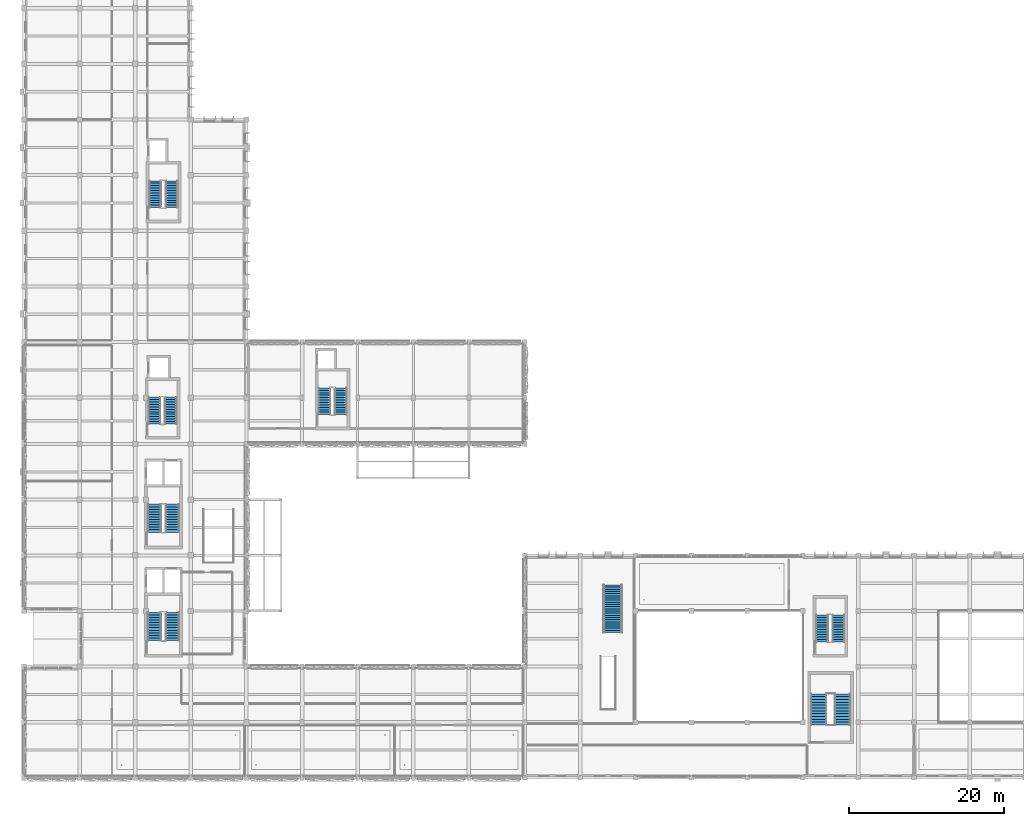
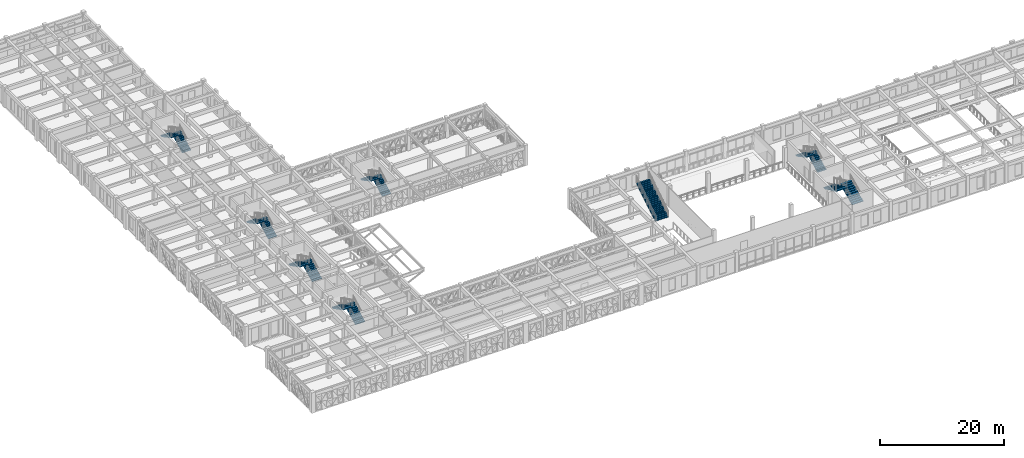
# One storey, part 50 of 88: 15 stair flights, 8 elements without a shape of their own.
"""IFC4 building model written with IfcOpenShell, lengths in metres."""

from ifc_helpers import new_model, si_unit, direction, frame, origin, place, context, subcontext, project, spatial, polyline, outline, extrude, material, type_object, element, aggregate, save


model = new_model("IFC4")

# Units and contexts
model_context = context("Model", 3, precision=1e-05, world=origin(), true_north=direction((0.0, 1.0)))
body_context = subcontext(model_context, "Body", "Model", "MODEL_VIEW")
ifc_project = project(units=[si_unit("LENGTHUNIT", "METRE"), si_unit("AREAUNIT", "SQUARE_METRE"), si_unit("VOLUMEUNIT", "CUBIC_METRE"), si_unit("PLANEANGLEUNIT", "RADIAN"), si_unit("MASSUNIT", "GRAM", prefix="KILO")], contexts=[model_context])

# Site, building, storey
site_placement = place(None, origin())
site = spatial("IfcSite", under=ifc_project, at=site_placement, CompositionType="ELEMENT")
building_placement = place(site_placement, origin())
building = spatial("IfcBuilding", under=site, at=building_placement, Name="Alvorim Cloister Faculty of Sciences", CompositionType="ELEMENT")
storey_placement = place(building_placement, frame((0.0, 0.0, 4.5)))
storey = spatial("IfcBuildingStorey", under=building, at=storey_placement, Name="L01", CompositionType="ELEMENT", Elevation=4.5)

# Stair, stair flight
ifc_material_1 = material(Name="Glulam GL32h", Category="wood")
stair_type_1 = type_object("IfcStairType", Name="STR-MON-ST-08-1700x4050", PredefinedType="STRAIGHT_RUN_STAIR", material=ifc_material_1)
stair_1_placement = place(storey_placement, origin())
stair_1 = element("IfcStair", 1, at=stair_1_placement, inside=storey, type_object=stair_type_1, Name="Atrium Monumental Stair MST-L01-ATR", PredefinedType="STRAIGHT_RUN_STAIR")
stair_flight_type_1 = type_object("IfcStairFlightType", Name="FLT-MON-ST-08-1700x4050", PredefinedType="STRAIGHT", material=ifc_material_1)
stair_flight_1_placement = place(storey_placement, frame((76.199951171875, 18.800048828125, 0.0), z_axis=(0.0, 0.0, 1.0), x_axis=(0.0, 1.0, 0.0)))
stair_flight_1 = element("IfcStairFlight", 2, at=stair_flight_1_placement, type_object=stair_flight_type_1, Name="ST-08 flight 1", NumberOfRisers=23, NumberOfTreads=22, PredefinedType="STRAIGHT", RiserHeight=0.176087, TreadLength=0.28, context=body_context, shape_type="SweptSolid", body=[
    extrude(outline(polyline([(0.337890625, 0.0), (6.159912109375, 3.661376953125), (6.159912109375, 4.050048828125), (6.159912109375, 3.8740234375), (5.8798828125, 3.8740234375), (5.8798828125, 3.69775390625), (5.60009765625, 3.69775390625), (5.60009765625, 3.521728515625), (5.320068359375, 3.521728515625), (5.320068359375, 3.345703125), (5.0400390625, 3.345703125), (5.0400390625, 3.169677734375), (4.760009765625, 3.169677734375), (4.760009765625, 2.993408203125), (4.47998046875, 2.993408203125), (4.47998046875, 2.8173828125), (4.199951171875, 2.8173828125), (4.199951171875, 2.641357421875), (3.919921875, 2.641357421875), (3.919921875, 2.46533203125), (3.639892578125, 2.46533203125), (3.639892578125, 2.2890625), (3.360107421875, 2.2890625), (3.360107421875, 2.113037109375), (3.080078125, 2.113037109375), (3.080078125, 1.93701171875), (2.800048828125, 1.93701171875), (2.800048828125, 1.760986328125), (2.52001953125, 1.760986328125), (2.52001953125, 1.584716796875), (2.239990234375, 1.584716796875), (2.239990234375, 1.40869140625), (1.9599609375, 1.40869140625), (1.9599609375, 1.232666015625), (1.679931640625, 1.232666015625), (1.679931640625, 1.056640625), (1.39990234375, 1.056640625), (1.39990234375, 0.88037109375), (1.1201171875, 0.88037109375), (1.1201171875, 0.704345703125), (0.840087890625, 0.704345703125), (0.840087890625, 0.5283203125), (0.56005859375, 0.5283203125), (0.56005859375, 0.352294921875), (0.280029296875, 0.352294921875), (0.280029296875, 0.176025390625), (0.0, 0.176025390625), (0.0, 0.0), (0.337890625, 0.0)])), frame((0.0, 1.22509765625, 0.0), z_axis=(0.0, -1.0, 0.0), x_axis=(1.0, 0.0, 0.0)), (0.0, 0.0, 1.0), 2.449951171875),
])
aggregate(stair_1, [stair_flight_1])

# Stair, stair flights
ifc_material_2 = material(Name="Concrete C40", Category="concrete")
stair_type_2 = type_object("IfcStairType", Name="STR-ST-01-1780x4050", PredefinedType="HALF_TURN_STAIR", material=ifc_material_2)
stair_2_placement = place(storey_placement, origin())
stair_2 = element("IfcStair", 3, at=stair_2_placement, inside=storey, type_object=stair_type_2, Name="L01 Enclosed Smoke-Proof Stair ST-01", PredefinedType="HALF_TURN_STAIR")
stair_flight_type_2 = type_object("IfcStairFlightType", Name="FLT-ST-01-1780x2025", PredefinedType="STRAIGHT", material=ifc_material_2)
stair_flight_2_placement = place(storey_placement, frame((19.22998046875, 17.780029296875, 0.0), z_axis=(0.0, 0.0, 1.0), x_axis=(0.0, 1.0, 0.0)))
stair_flight_2 = element("IfcStairFlight", 4, at=stair_flight_2_placement, type_object=stair_flight_type_2, Name="ST-01 flight 1", NumberOfRisers=12, NumberOfTreads=11, PredefinedType="STRAIGHT", RiserHeight=0.16875, TreadLength=0.33, context=body_context, shape_type="SweptSolid", body=[
    extrude(outline(polyline([(0.351318359375, 0.0), (3.6298828125, 1.6767578125), (3.6298828125, 2.02490234375), (3.6298828125, 1.856201171875), (3.300048828125, 1.856201171875), (3.300048828125, 1.6875), (2.969970703125, 1.6875), (2.969970703125, 1.518798828125), (2.639892578125, 1.518798828125), (2.639892578125, 1.35009765625), (2.31005859375, 1.35009765625), (2.31005859375, 1.18115234375), (1.97998046875, 1.18115234375), (1.97998046875, 1.012451171875), (1.64990234375, 1.012451171875), (1.64990234375, 0.84375), (1.320068359375, 0.84375), (1.320068359375, 0.675048828125), (0.989990234375, 0.675048828125), (0.989990234375, 0.50634765625), (0.659912109375, 0.50634765625), (0.659912109375, 0.33740234375), (0.330078125, 0.33740234375), (0.330078125, 0.168701171875), (0.0, 0.168701171875), (0.0, 0.0), (0.351318359375, 0.0)])), frame((0.0, 0.89013671875, 0.0), z_axis=(0.0, -1.0, 0.0), x_axis=(1.0, 0.0, 0.0)), (0.0, 0.0, 1.0), 1.780029296875),
])
stair_flight_3_placement = place(storey_placement, frame((16.889892578125, 21.409912109375, 2.02490234375), z_axis=(0.0, 0.0, 1.0), x_axis=(0.0, -1.0, 0.0)))
stair_flight_3 = element("IfcStairFlight", 5, at=stair_flight_3_placement, type_object=stair_flight_type_2, Name="ST-01 flight 2", NumberOfRisers=12, NumberOfTreads=11, PredefinedType="STRAIGHT", RiserHeight=0.16875, TreadLength=0.33, context=body_context, shape_type="SweptSolid", body=[
    extrude(outline(polyline([(0.351318359375, 0.0), (3.6298828125, 1.6767578125), (3.6298828125, 2.02490234375), (3.6298828125, 1.856201171875), (3.300048828125, 1.856201171875), (3.300048828125, 1.6875), (2.969970703125, 1.6875), (2.969970703125, 1.518798828125), (2.639892578125, 1.518798828125), (2.639892578125, 1.35009765625), (2.31005859375, 1.35009765625), (2.31005859375, 1.18115234375), (1.97998046875, 1.18115234375), (1.97998046875, 1.012451171875), (1.64990234375, 1.012451171875), (1.64990234375, 0.84375), (1.320068359375, 0.84375), (1.320068359375, 0.675048828125), (0.989990234375, 0.675048828125), (0.989990234375, 0.50634765625), (0.659912109375, 0.50634765625), (0.659912109375, 0.33740234375), (0.330078125, 0.33740234375), (0.330078125, 0.168701171875), (0.0, 0.168701171875), (0.0, 0.0), (0.351318359375, 0.0)])), frame((0.0, 0.89013671875, 0.0), z_axis=(0.0, -1.0, 0.0), x_axis=(1.0, 0.0, 0.0)), (0.0, 0.0, 1.0), 1.780029296875),
])
aggregate(stair_2, [stair_flight_2, stair_flight_3])

stair_type_3 = type_object("IfcStairType", Name="STR-ST-02-1780x4050", PredefinedType="HALF_TURN_STAIR", material=ifc_material_2)
stair_3_placement = place(storey_placement, origin())
stair_3 = element("IfcStair", 6, at=stair_3_placement, inside=storey, type_object=stair_type_3, Name="L01 Enclosed Smoke-Proof Stair ST-02", PredefinedType="HALF_TURN_STAIR")
stair_flight_type_3 = type_object("IfcStairFlightType", Name="FLT-ST-02-1780x2025", PredefinedType="STRAIGHT", material=ifc_material_2)
stair_flight_4_placement = place(storey_placement, frame((19.22998046875, 31.780029296875, 0.0), z_axis=(0.0, 0.0, 1.0), x_axis=(0.0, 1.0, 0.0)))
stair_flight_4 = element("IfcStairFlight", 7, at=stair_flight_4_placement, type_object=stair_flight_type_3, Name="ST-02 flight 1", NumberOfRisers=12, NumberOfTreads=11, PredefinedType="STRAIGHT", RiserHeight=0.16875, TreadLength=0.33, context=body_context, shape_type="SweptSolid", body=[
    extrude(outline(polyline([(0.351318359375, 0.0), (3.6298828125, 1.6767578125), (3.6298828125, 2.02490234375), (3.6298828125, 1.856201171875), (3.300048828125, 1.856201171875), (3.300048828125, 1.6875), (2.969970703125, 1.6875), (2.969970703125, 1.518798828125), (2.639892578125, 1.518798828125), (2.639892578125, 1.35009765625), (2.31005859375, 1.35009765625), (2.31005859375, 1.18115234375), (1.97998046875, 1.18115234375), (1.97998046875, 1.012451171875), (1.64990234375, 1.012451171875), (1.64990234375, 0.84375), (1.320068359375, 0.84375), (1.320068359375, 0.675048828125), (0.989990234375, 0.675048828125), (0.989990234375, 0.50634765625), (0.659912109375, 0.50634765625), (0.659912109375, 0.33740234375), (0.330078125, 0.33740234375), (0.330078125, 0.168701171875), (0.0, 0.168701171875), (0.0, 0.0), (0.351318359375, 0.0)])), frame((0.0, 0.89013671875, 0.0), z_axis=(0.0, -1.0, 0.0), x_axis=(1.0, 0.0, 0.0)), (0.0, 0.0, 1.0), 1.780029296875),
])
stair_flight_5_placement = place(storey_placement, frame((16.889892578125, 35.409912109375, 2.02490234375), z_axis=(0.0, 0.0, 1.0), x_axis=(0.0, -1.0, 0.0)))
stair_flight_5 = element("IfcStairFlight", 8, at=stair_flight_5_placement, type_object=stair_flight_type_3, Name="ST-02 flight 2", NumberOfRisers=12, NumberOfTreads=11, PredefinedType="STRAIGHT", RiserHeight=0.16875, TreadLength=0.33, context=body_context, shape_type="SweptSolid", body=[
    extrude(outline(polyline([(0.351318359375, 0.0), (3.6298828125, 1.6767578125), (3.6298828125, 2.02490234375), (3.6298828125, 1.856201171875), (3.300048828125, 1.856201171875), (3.300048828125, 1.6875), (2.969970703125, 1.6875), (2.969970703125, 1.518798828125), (2.639892578125, 1.518798828125), (2.639892578125, 1.35009765625), (2.31005859375, 1.35009765625), (2.31005859375, 1.18115234375), (1.97998046875, 1.18115234375), (1.97998046875, 1.012451171875), (1.64990234375, 1.012451171875), (1.64990234375, 0.84375), (1.320068359375, 0.84375), (1.320068359375, 0.675048828125), (0.989990234375, 0.675048828125), (0.989990234375, 0.50634765625), (0.659912109375, 0.50634765625), (0.659912109375, 0.33740234375), (0.330078125, 0.33740234375), (0.330078125, 0.168701171875), (0.0, 0.168701171875), (0.0, 0.0), (0.351318359375, 0.0)])), frame((0.0, 0.89013671875, 0.0), z_axis=(0.0, -1.0, 0.0), x_axis=(1.0, 0.0, 0.0)), (0.0, 0.0, 1.0), 1.780029296875),
])
aggregate(stair_3, [stair_flight_4, stair_flight_5])

stair_type_4 = type_object("IfcStairType", Name="STR-ST-03-1600x4050", PredefinedType="HALF_TURN_STAIR", material=ifc_material_2)
stair_4_placement = place(storey_placement, origin())
stair_4 = element("IfcStair", 9, at=stair_4_placement, inside=storey, type_object=stair_type_4, Name="L01 Enclosed Smoke-Proof Stair ST-03", PredefinedType="HALF_TURN_STAIR")
stair_flight_type_4 = type_object("IfcStairFlightType", Name="FLT-ST-03-1600x2025", PredefinedType="STRAIGHT", material=ifc_material_2)
stair_flight_6_placement = place(storey_placement, frame((19.02001953125, 45.800048828125, 0.0), z_axis=(0.0, 0.0, 1.0), x_axis=(0.0, 1.0, 0.0)))
stair_flight_6 = element("IfcStairFlight", 10, at=stair_flight_6_placement, type_object=stair_flight_type_4, Name="ST-03 flight 1", NumberOfRisers=12, NumberOfTreads=11, PredefinedType="STRAIGHT", RiserHeight=0.16875, TreadLength=0.315, context=body_context, shape_type="SweptSolid", body=[
    extrude(outline(polyline([(0.338623046875, 0.0), (3.465087890625, 1.6748046875), (3.465087890625, 2.02490234375), (3.465087890625, 1.856201171875), (3.14990234375, 1.856201171875), (3.14990234375, 1.6875), (2.8349609375, 1.6875), (2.8349609375, 1.518798828125), (2.52001953125, 1.518798828125), (2.52001953125, 1.35009765625), (2.205078125, 1.35009765625), (2.205078125, 1.18115234375), (1.889892578125, 1.18115234375), (1.889892578125, 1.012451171875), (1.574951171875, 1.012451171875), (1.574951171875, 0.84375), (1.260009765625, 0.84375), (1.260009765625, 0.675048828125), (0.945068359375, 0.675048828125), (0.945068359375, 0.50634765625), (0.6298828125, 0.50634765625), (0.6298828125, 0.33740234375), (0.31494140625, 0.33740234375), (0.31494140625, 0.168701171875), (0.0, 0.168701171875), (0.0, 0.0), (0.338623046875, 0.0)])), frame((0.0, 0.800048828125, 0.0), z_axis=(0.0, -1.0, 0.0), x_axis=(1.0, 0.0, 0.0)), (0.0, 0.0, 1.0), 1.60009765625),
])
stair_flight_7_placement = place(storey_placement, frame((16.89990234375, 49.264892578125, 2.02490234375), z_axis=(0.0, 0.0, 1.0), x_axis=(0.0, -1.0, 0.0)))
stair_flight_7 = element("IfcStairFlight", 11, at=stair_flight_7_placement, type_object=stair_flight_type_4, Name="ST-03 flight 2", NumberOfRisers=12, NumberOfTreads=11, PredefinedType="STRAIGHT", RiserHeight=0.16875, TreadLength=0.315, context=body_context, shape_type="SweptSolid", body=[
    extrude(outline(polyline([(0.338623046875, 0.0), (3.465087890625, 1.6748046875), (3.465087890625, 2.02490234375), (3.465087890625, 1.856201171875), (3.14990234375, 1.856201171875), (3.14990234375, 1.6875), (2.8349609375, 1.6875), (2.8349609375, 1.518798828125), (2.52001953125, 1.518798828125), (2.52001953125, 1.35009765625), (2.205078125, 1.35009765625), (2.205078125, 1.18115234375), (1.889892578125, 1.18115234375), (1.889892578125, 1.012451171875), (1.574951171875, 1.012451171875), (1.574951171875, 0.84375), (1.260009765625, 0.84375), (1.260009765625, 0.675048828125), (0.945068359375, 0.675048828125), (0.945068359375, 0.50634765625), (0.6298828125, 0.50634765625), (0.6298828125, 0.33740234375), (0.31494140625, 0.33740234375), (0.31494140625, 0.168701171875), (0.0, 0.168701171875), (0.0, 0.0), (0.338623046875, 0.0)])), frame((0.0, 0.800048828125, 0.0), z_axis=(0.0, -1.0, 0.0), x_axis=(1.0, 0.0, 0.0)), (0.0, 0.0, 1.0), 1.60009765625),
])
aggregate(stair_4, [stair_flight_6, stair_flight_7])

stair_type_5 = type_object("IfcStairType", Name="STR-ST-04-1600x4050", PredefinedType="HALF_TURN_STAIR", material=ifc_material_2)
stair_5_placement = place(storey_placement, origin())
stair_5 = element("IfcStair", 12, at=stair_5_placement, inside=storey, type_object=stair_type_5, Name="L01 Enclosed Smoke-Proof Stair ST-04", PredefinedType="HALF_TURN_STAIR")
stair_flight_type_5 = type_object("IfcStairFlightType", Name="FLT-ST-04-1600x2025", PredefinedType="STRAIGHT", material=ifc_material_2)
stair_flight_8_placement = place(storey_placement, frame((41.02001953125, 47.0, 0.0), z_axis=(0.0, 0.0, 1.0), x_axis=(0.0, 1.0, 0.0)))
stair_flight_8 = element("IfcStairFlight", 13, at=stair_flight_8_placement, type_object=stair_flight_type_5, Name="ST-04 flight 1", NumberOfRisers=12, NumberOfTreads=11, PredefinedType="STRAIGHT", RiserHeight=0.16875, TreadLength=0.315, context=body_context, shape_type="SweptSolid", body=[
    extrude(outline(polyline([(0.338623046875, 0.0), (3.465087890625, 1.6748046875), (3.465087890625, 2.02490234375), (3.465087890625, 1.856201171875), (3.14990234375, 1.856201171875), (3.14990234375, 1.6875), (2.8349609375, 1.6875), (2.8349609375, 1.518798828125), (2.52001953125, 1.518798828125), (2.52001953125, 1.35009765625), (2.205078125, 1.35009765625), (2.205078125, 1.18115234375), (1.889892578125, 1.18115234375), (1.889892578125, 1.012451171875), (1.574951171875, 1.012451171875), (1.574951171875, 0.84375), (1.260009765625, 0.84375), (1.260009765625, 0.675048828125), (0.945068359375, 0.675048828125), (0.945068359375, 0.50634765625), (0.6298828125, 0.50634765625), (0.6298828125, 0.33740234375), (0.31494140625, 0.33740234375), (0.31494140625, 0.168701171875), (0.0, 0.168701171875), (0.0, 0.0), (0.338623046875, 0.0)])), frame((0.0, 0.800048828125, 0.0), z_axis=(0.0, -1.0, 0.0), x_axis=(1.0, 0.0, 0.0)), (0.0, 0.0, 1.0), 1.60009765625),
])
stair_flight_9_placement = place(storey_placement, frame((38.89990234375, 50.465087890625, 2.02490234375), z_axis=(0.0, 0.0, 1.0), x_axis=(0.0, -1.0, 0.0)))
stair_flight_9 = element("IfcStairFlight", 14, at=stair_flight_9_placement, type_object=stair_flight_type_5, Name="ST-04 flight 2", NumberOfRisers=12, NumberOfTreads=11, PredefinedType="STRAIGHT", RiserHeight=0.16875, TreadLength=0.315, context=body_context, shape_type="SweptSolid", body=[
    extrude(outline(polyline([(0.338623046875, 0.0), (3.465087890625, 1.6748046875), (3.465087890625, 2.02490234375), (3.465087890625, 1.856201171875), (3.14990234375, 1.856201171875), (3.14990234375, 1.6875), (2.8349609375, 1.6875), (2.8349609375, 1.518798828125), (2.52001953125, 1.518798828125), (2.52001953125, 1.35009765625), (2.205078125, 1.35009765625), (2.205078125, 1.18115234375), (1.889892578125, 1.18115234375), (1.889892578125, 1.012451171875), (1.574951171875, 1.012451171875), (1.574951171875, 0.84375), (1.260009765625, 0.84375), (1.260009765625, 0.675048828125), (0.945068359375, 0.675048828125), (0.945068359375, 0.50634765625), (0.6298828125, 0.50634765625), (0.6298828125, 0.33740234375), (0.31494140625, 0.33740234375), (0.31494140625, 0.168701171875), (0.0, 0.168701171875), (0.0, 0.0), (0.338623046875, 0.0)])), frame((0.0, 0.800048828125, 0.0), z_axis=(0.0, -1.0, 0.0), x_axis=(1.0, 0.0, 0.0)), (0.0, 0.0, 1.0), 1.60009765625),
])
aggregate(stair_5, [stair_flight_8, stair_flight_9])

stair_type_6 = type_object("IfcStairType", Name="STR-ST-05-1600x4050", PredefinedType="HALF_TURN_STAIR", material=ifc_material_2)
stair_6_placement = place(storey_placement, origin())
stair_6 = element("IfcStair", 15, at=stair_6_placement, inside=storey, type_object=stair_type_6, Name="L01 Enclosed Smoke-Proof Stair ST-05", PredefinedType="HALF_TURN_STAIR")
stair_flight_type_6 = type_object("IfcStairFlightType", Name="FLT-ST-05-1600x2025", PredefinedType="STRAIGHT", material=ifc_material_2)
stair_flight_10_placement = place(storey_placement, frame((19.1201171875, 73.800048828125, 0.0), z_axis=(0.0, 0.0, 1.0), x_axis=(0.0, 1.0, 0.0)))
stair_flight_10 = element("IfcStairFlight", 16, at=stair_flight_10_placement, type_object=stair_flight_type_6, Name="ST-05 flight 1", NumberOfRisers=12, NumberOfTreads=11, PredefinedType="STRAIGHT", RiserHeight=0.16875, TreadLength=0.315, context=body_context, shape_type="SweptSolid", body=[
    extrude(outline(polyline([(0.338623046875, 0.0), (3.465087890625, 1.6748046875), (3.465087890625, 2.02490234375), (3.465087890625, 1.856201171875), (3.14990234375, 1.856201171875), (3.14990234375, 1.6875), (2.8349609375, 1.6875), (2.8349609375, 1.518798828125), (2.52001953125, 1.518798828125), (2.52001953125, 1.35009765625), (2.205078125, 1.35009765625), (2.205078125, 1.18115234375), (1.889892578125, 1.18115234375), (1.889892578125, 1.012451171875), (1.574951171875, 1.012451171875), (1.574951171875, 0.84375), (1.260009765625, 0.84375), (1.260009765625, 0.675048828125), (0.945068359375, 0.675048828125), (0.945068359375, 0.50634765625), (0.6298828125, 0.50634765625), (0.6298828125, 0.33740234375), (0.31494140625, 0.33740234375), (0.31494140625, 0.168701171875), (0.0, 0.168701171875), (0.0, 0.0), (0.338623046875, 0.0)])), frame((0.0, 0.800048828125, 0.0), z_axis=(0.0, -1.0, 0.0), x_axis=(1.0, 0.0, 0.0)), (0.0, 0.0, 1.0), 1.60009765625),
])
stair_flight_11_placement = place(storey_placement, frame((17.0, 77.264892578125, 2.02490234375), z_axis=(0.0, 0.0, 1.0), x_axis=(0.0, -1.0, 0.0)))
stair_flight_11 = element("IfcStairFlight", 17, at=stair_flight_11_placement, type_object=stair_flight_type_6, Name="ST-05 flight 2", NumberOfRisers=12, NumberOfTreads=11, PredefinedType="STRAIGHT", RiserHeight=0.16875, TreadLength=0.315, context=body_context, shape_type="SweptSolid", body=[
    extrude(outline(polyline([(0.338623046875, 0.0), (3.465087890625, 1.6748046875), (3.465087890625, 2.02490234375), (3.465087890625, 1.856201171875), (3.14990234375, 1.856201171875), (3.14990234375, 1.6875), (2.8349609375, 1.6875), (2.8349609375, 1.518798828125), (2.52001953125, 1.518798828125), (2.52001953125, 1.35009765625), (2.205078125, 1.35009765625), (2.205078125, 1.18115234375), (1.889892578125, 1.18115234375), (1.889892578125, 1.012451171875), (1.574951171875, 1.012451171875), (1.574951171875, 0.84375), (1.260009765625, 0.84375), (1.260009765625, 0.675048828125), (0.945068359375, 0.675048828125), (0.945068359375, 0.50634765625), (0.6298828125, 0.50634765625), (0.6298828125, 0.33740234375), (0.31494140625, 0.33740234375), (0.31494140625, 0.168701171875), (0.0, 0.168701171875), (0.0, 0.0), (0.338623046875, 0.0)])), frame((0.0, 0.800048828125, 0.0), z_axis=(0.0, -1.0, 0.0), x_axis=(1.0, 0.0, 0.0)), (0.0, 0.0, 1.0), 1.60009765625),
])
aggregate(stair_6, [stair_flight_10, stair_flight_11])

stair_type_7 = type_object("IfcStairType", Name="STR-ST-06-1600x4050", PredefinedType="HALF_TURN_STAIR", material=ifc_material_2)
stair_7_placement = place(storey_placement, origin())
stair_7 = element("IfcStair", 18, at=stair_7_placement, inside=storey, type_object=stair_type_7, Name="L01 Enclosed Smoke-Proof Stair ST-06", PredefinedType="HALF_TURN_STAIR")
stair_flight_type_7 = type_object("IfcStairFlightType", Name="FLT-ST-06-1600x2025", PredefinedType="STRAIGHT", material=ifc_material_2)
stair_flight_12_placement = place(storey_placement, frame((105.419921875, 17.60009765625, 0.0), z_axis=(0.0, 0.0, 1.0), x_axis=(0.0, 1.0, 0.0)))
stair_flight_12 = element("IfcStairFlight", 19, at=stair_flight_12_placement, type_object=stair_flight_type_7, Name="ST-06 flight 1", NumberOfRisers=12, NumberOfTreads=11, PredefinedType="STRAIGHT", RiserHeight=0.16875, TreadLength=0.315, context=body_context, shape_type="SweptSolid", body=[
    extrude(outline(polyline([(0.338623046875, 0.0), (3.465087890625, 1.6748046875), (3.465087890625, 2.02490234375), (3.465087890625, 1.856201171875), (3.14990234375, 1.856201171875), (3.14990234375, 1.6875), (2.8349609375, 1.6875), (2.8349609375, 1.518798828125), (2.52001953125, 1.518798828125), (2.52001953125, 1.35009765625), (2.205078125, 1.35009765625), (2.205078125, 1.18115234375), (1.889892578125, 1.18115234375), (1.889892578125, 1.012451171875), (1.574951171875, 1.012451171875), (1.574951171875, 0.84375), (1.260009765625, 0.84375), (1.260009765625, 0.675048828125), (0.945068359375, 0.675048828125), (0.945068359375, 0.50634765625), (0.6298828125, 0.50634765625), (0.6298828125, 0.33740234375), (0.31494140625, 0.33740234375), (0.31494140625, 0.168701171875), (0.0, 0.168701171875), (0.0, 0.0), (0.338623046875, 0.0)])), frame((0.0, 0.800048828125, 0.0), z_axis=(0.0, -1.0, 0.0), x_axis=(1.0, 0.0, 0.0)), (0.0, 0.0, 1.0), 1.60009765625),
])
stair_flight_13_placement = place(storey_placement, frame((103.300048828125, 21.06494140625, 2.02490234375), z_axis=(0.0, 0.0, 1.0), x_axis=(0.0, -1.0, 0.0)))
stair_flight_13 = element("IfcStairFlight", 20, at=stair_flight_13_placement, type_object=stair_flight_type_7, Name="ST-06 flight 2", NumberOfRisers=12, NumberOfTreads=11, PredefinedType="STRAIGHT", RiserHeight=0.16875, TreadLength=0.315, context=body_context, shape_type="SweptSolid", body=[
    extrude(outline(polyline([(0.338623046875, 0.0), (3.465087890625, 1.6748046875), (3.465087890625, 2.02490234375), (3.465087890625, 1.856201171875), (3.14990234375, 1.856201171875), (3.14990234375, 1.6875), (2.8349609375, 1.6875), (2.8349609375, 1.518798828125), (2.52001953125, 1.518798828125), (2.52001953125, 1.35009765625), (2.205078125, 1.35009765625), (2.205078125, 1.18115234375), (1.889892578125, 1.18115234375), (1.889892578125, 1.012451171875), (1.574951171875, 1.012451171875), (1.574951171875, 0.84375), (1.260009765625, 0.84375), (1.260009765625, 0.675048828125), (0.945068359375, 0.675048828125), (0.945068359375, 0.50634765625), (0.6298828125, 0.50634765625), (0.6298828125, 0.33740234375), (0.31494140625, 0.33740234375), (0.31494140625, 0.168701171875), (0.0, 0.168701171875), (0.0, 0.0), (0.338623046875, 0.0)])), frame((0.0, 0.800048828125, 0.0), z_axis=(0.0, -1.0, 0.0), x_axis=(1.0, 0.0, 0.0)), (0.0, 0.0, 1.0), 1.60009765625),
])
aggregate(stair_7, [stair_flight_12, stair_flight_13])

stair_type_8 = type_object("IfcStairType", Name="STR-ST-12-2050x4050", PredefinedType="HALF_TURN_STAIR", material=ifc_material_2)
stair_8_placement = place(storey_placement, origin())
stair_8 = element("IfcStair", 21, at=stair_8_placement, inside=storey, type_object=stair_type_8, Name="L01 Enclosed Smoke-Proof Stair ST-12", PredefinedType="HALF_TURN_STAIR")
stair_flight_type_8 = type_object("IfcStairFlightType", Name="FLT-ST-12-2050x2025", PredefinedType="STRAIGHT", material=ifc_material_2)
stair_flight_14_placement = place(storey_placement, frame((105.93505859375, 6.85009765625, 0.0), z_axis=(0.0, 0.0, 1.0), x_axis=(0.0, 1.0, 0.0)))
stair_flight_14 = element("IfcStairFlight", 22, at=stair_flight_14_placement, type_object=stair_flight_type_8, Name="ST-12 flight 1", NumberOfRisers=12, NumberOfTreads=11, PredefinedType="STRAIGHT", RiserHeight=0.16875, TreadLength=0.365, context=body_context, shape_type="SweptSolid", body=[
    extrude(outline(polyline([(0.381103515625, 0.0), (4.014892578125, 1.68017578125), (4.014892578125, 2.02490234375), (4.014892578125, 1.856201171875), (3.64990234375, 1.856201171875), (3.64990234375, 1.6875), (3.284912109375, 1.6875), (3.284912109375, 1.518798828125), (2.919921875, 1.518798828125), (2.919921875, 1.35009765625), (2.554931640625, 1.35009765625), (2.554931640625, 1.18115234375), (2.18994140625, 1.18115234375), (2.18994140625, 1.012451171875), (1.824951171875, 1.012451171875), (1.824951171875, 0.84375), (1.4599609375, 0.84375), (1.4599609375, 0.675048828125), (1.094970703125, 0.675048828125), (1.094970703125, 0.50634765625), (0.72998046875, 0.50634765625), (0.72998046875, 0.33740234375), (0.364990234375, 0.33740234375), (0.364990234375, 0.168701171875), (0.0, 0.168701171875), (0.0, 0.0), (0.381103515625, 0.0)])), frame((0.0, 1.02490234375, 0.0), z_axis=(0.0, -1.0, 0.0), x_axis=(1.0, 0.0, 0.0)), (0.0, 0.0, 1.0), 2.050048828125),
])
stair_flight_15_placement = place(storey_placement, frame((102.864990234375, 10.864990234375, 2.02490234375), z_axis=(0.0, 0.0, 1.0), x_axis=(0.0, -1.0, 0.0)))
stair_flight_15 = element("IfcStairFlight", 23, at=stair_flight_15_placement, type_object=stair_flight_type_8, Name="ST-12 flight 2", NumberOfRisers=12, NumberOfTreads=11, PredefinedType="STRAIGHT", RiserHeight=0.16875, TreadLength=0.365, context=body_context, shape_type="SweptSolid", body=[
    extrude(outline(polyline([(0.381103515625, 0.0), (4.014892578125, 1.68017578125), (4.014892578125, 2.02490234375), (4.014892578125, 1.856201171875), (3.64990234375, 1.856201171875), (3.64990234375, 1.6875), (3.284912109375, 1.6875), (3.284912109375, 1.518798828125), (2.919921875, 1.518798828125), (2.919921875, 1.35009765625), (2.554931640625, 1.35009765625), (2.554931640625, 1.18115234375), (2.18994140625, 1.18115234375), (2.18994140625, 1.012451171875), (1.824951171875, 1.012451171875), (1.824951171875, 0.84375), (1.4599609375, 0.84375), (1.4599609375, 0.675048828125), (1.094970703125, 0.675048828125), (1.094970703125, 0.50634765625), (0.72998046875, 0.50634765625), (0.72998046875, 0.33740234375), (0.364990234375, 0.33740234375), (0.364990234375, 0.168701171875), (0.0, 0.168701171875), (0.0, 0.0), (0.381103515625, 0.0)])), frame((0.0, 1.02490234375, 0.0), z_axis=(0.0, -1.0, 0.0), x_axis=(1.0, 0.0, 0.0)), (0.0, 0.0, 1.0), 2.050048828125),
])
aggregate(stair_8, [stair_flight_14, stair_flight_15])

save(model, "model.ifc")
